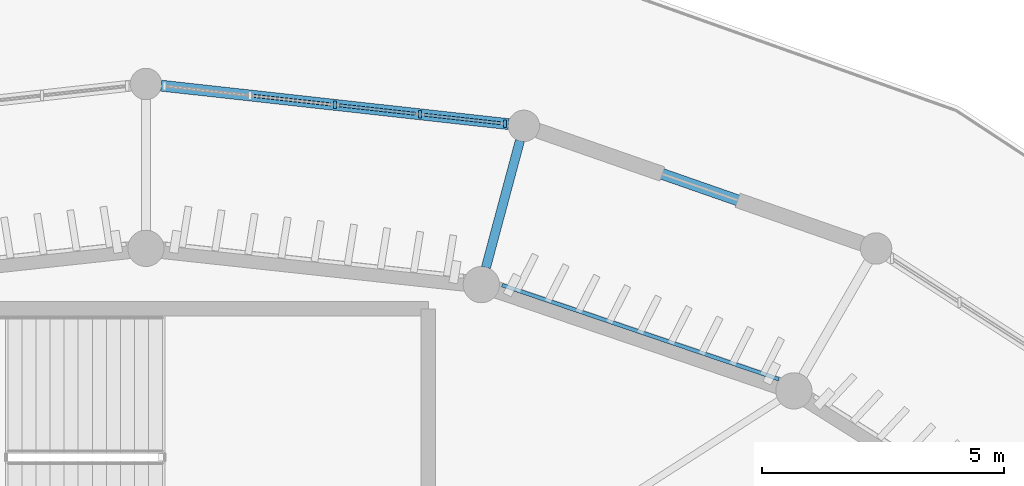
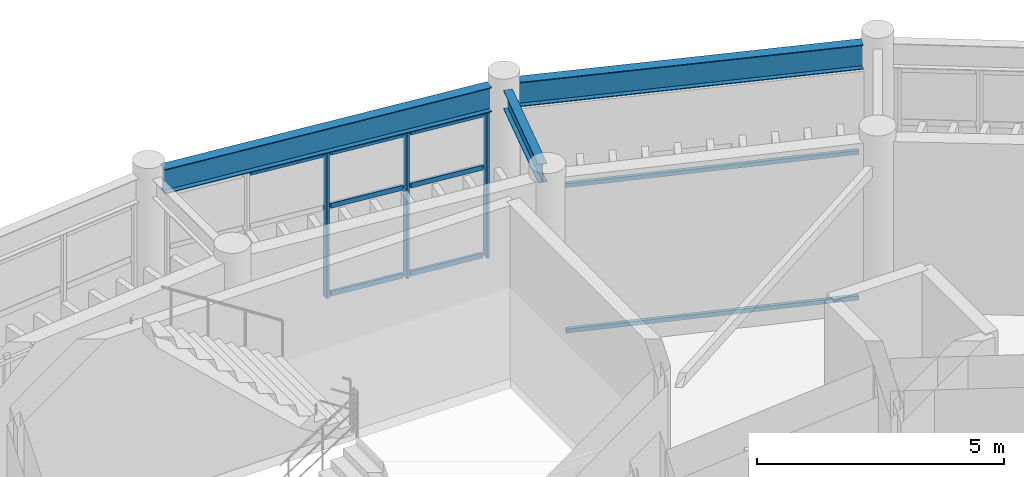
# One storey, part 14 of 45: 12 members, 3 beams, 1 element without a shape of its own.
"""IFC4 building model written with IfcOpenShell, lengths in metres."""

from ifc_helpers import new_model, si_unit, direction, frame, origin, origin_2d, place, context, subcontext, project, spatial, rectangle, i_section, extrude, material, material_profile, profile_set, type_object, element, aggregate, save


model = new_model("IFC4")

# Units and contexts
model_context = context("Model", 3, precision=1e-05, world=origin(), true_north=direction((0.0, 1.0)))
body_context = subcontext(model_context, "Body", "Model", "MODEL_VIEW")
ifc_project = project(units=[si_unit("LENGTHUNIT", "METRE"), si_unit("AREAUNIT", "SQUARE_METRE"), si_unit("VOLUMEUNIT", "CUBIC_METRE"), si_unit("PLANEANGLEUNIT", "RADIAN"), si_unit("MASSUNIT", "GRAM", prefix="KILO")], contexts=[model_context])

# Site, building, storey
site_placement = place(None, origin())
site = spatial("IfcSite", under=ifc_project, at=site_placement, CompositionType="ELEMENT")
building_placement = place(site_placement, origin())
building = spatial("IfcBuilding", under=site, at=building_placement, Name="Cinderbank Siding Concert Hall", CompositionType="ELEMENT")
storey_placement = place(building_placement, frame((0.0, 0.0, 19.199951171875)))
storey = spatial("IfcBuildingStorey", under=building, at=storey_placement, Name="L05", CompositionType="ELEMENT", Elevation=19.199951171875)

# Beams
ifc_material_1 = material(Name="Structural steel AS/NZS 3679.1 Grade 350 (340 MPa)", Category="steel")
ifc_material_profile_1 = material_profile(ifc_material_1, i_section(OverallWidth=0.19091796875, OverallDepth=0.46044921875, WebThickness=0.010009765625, FlangeThickness=0.01611328125, at=origin_2d()), Name="460UB82.1", Category="LoadBearing")
ifc_profile_set_1 = profile_set([ifc_material_profile_1], Name="Structural steel AS/NZS 3679.1 Grade 350 (340 MPa)")
beam_type_1 = type_object("IfcBeamType", Name="BM-UB460H 460UB82.1", PredefinedType="BEAM", material=ifc_profile_set_1)
beam_1_placement = place(storey_placement, frame((129.031494140625, 65.60498046875, 4.001953125), z_axis=(0.258809477387, 0.9659283899, 0.0), x_axis=(-0.9659283899, 0.258809477387, 0.0)))
element("IfcBeam", 1, at=beam_1_placement, inside=storey, type_object=beam_type_1, Name="L05 Beam BM-UB460H #800", PredefinedType="BEAM", context=body_context, shape_type="SweptSolid", body=[
    extrude(i_section(OverallWidth=0.19091796875, OverallDepth=0.46044921875, WebThickness=0.010009765625, FlangeThickness=0.01611328125, at=origin_2d()), origin(), (0.0, 0.0, 1.0), 2.7158203125),
])
ifc_material_profile_2 = material_profile(ifc_material_1, i_section(OverallWidth=0.22802734375, OverallDepth=0.60693359375, WebThickness=0.01123046875, FlangeThickness=0.017333984375, at=origin_2d()), Name="610UB113", Category="LoadBearing")
ifc_profile_set_2 = profile_set([ifc_material_profile_2], Name="Structural steel AS/NZS 3679.1 Grade 350 (340 MPa)")
beam_type_2 = type_object("IfcBeamType", Name="BM-UB610M 610UB113", PredefinedType="BEAM", material=ifc_profile_set_2)
beam_2_placement = place(storey_placement, frame((136.800537109375, 66.101318359375, 3.928466796875), z_axis=(-0.944334299593, 0.328987432301, 0.0), x_axis=(-0.328987432301, -0.944334299593, 0.0)))
element("IfcBeam", 2, at=beam_2_placement, inside=storey, type_object=beam_type_2, Name="L05 Beam BM-UB610M #763", PredefinedType="BEAM", context=body_context, shape_type="SweptSolid", body=[
    extrude(i_section(OverallWidth=0.22802734375, OverallDepth=0.60693359375, WebThickness=0.01123046875, FlangeThickness=0.017333984375, at=origin_2d()), origin(), (0.0, 0.0, 1.0), 7.078857421875),
])
beam_3_placement = place(storey_placement, frame((129.501220703125, 68.5693359375, 3.928466796875), z_axis=(-0.993926077211, 0.110049775281, 0.0), x_axis=(-0.110049775281, -0.993926077211, 0.0)))
element("IfcBeam", 3, at=beam_3_placement, inside=storey, type_object=beam_type_2, Name="L05 Beam BM-UB610M #764", PredefinedType="BEAM", context=body_context, shape_type="SweptSolid", body=[
    extrude(i_section(OverallWidth=0.22802734375, OverallDepth=0.60693359375, WebThickness=0.01123046875, FlangeThickness=0.017333984375, at=origin_2d()), origin(), (0.0, 0.0, 1.0), 7.22998046875),
])

# Curtain wall, members
ifc_material_2 = material(Name="Anodised aluminium alloy 6063-T6", Category="aluminium")
curtain_wall_type = type_object("IfcCurtainWallType", Name="CW-10 Unitised Acoustic Curtain Wall 7200x3500", PredefinedType="NOTDEFINED", material=ifc_material_2)
curtain_wall_placement = place(storey_placement, origin())
curtain_wall = element("IfcCurtainWall", 4, at=curtain_wall_placement, inside=storey, type_object=curtain_wall_type, Name="L05 Curtain Wall CW-10 #76", PredefinedType="NOTDEFINED")
ifc_material_profile_3 = material_profile(ifc_material_2, rectangle(XDim=0.06005859375, YDim=0.159912109375, at=origin_2d()), Name="ALU-MULL-60x160", Category="LoadBearing")
ifc_profile_set_3 = profile_set([ifc_material_profile_3], Name="Anodised aluminium alloy 6063-T6")
member_type_1 = type_object("IfcMemberType", Name="CW-ML1 Mullion 60x160", PredefinedType="MULLION", material=ifc_profile_set_3)
member_1_placement = place(storey_placement, frame((129.4287109375, 68.577392578125, 0.0), z_axis=(0.0, 0.0, 1.0), x_axis=(1.0, 0.0, 0.0)))
member_1 = element("IfcMember", 5, at=member_1_placement, type_object=member_type_1, Name="CW-L05-076 Mullion 0", PredefinedType="MULLION", context=body_context, shape_type="SweptSolid", body=[
    extrude(rectangle(XDim=0.06005859375, YDim=0.159912109375, at=origin_2d()), origin(), (0.0, 0.0, 1.0), 3.610107421875),
])
member_2_placement = place(storey_placement, frame((127.66845703125, 68.772216796875, 0.0), z_axis=(0.0, 0.0, 1.0), x_axis=(1.0, 0.0, 0.0)))
member_2 = element("IfcMember", 6, at=member_2_placement, type_object=member_type_1, Name="CW-L05-076 Mullion 1", PredefinedType="MULLION", context=body_context, shape_type="SweptSolid", body=[
    extrude(rectangle(XDim=0.06005859375, YDim=0.159912109375, at=origin_2d()), origin(), (0.0, 0.0, 1.0), 3.610107421875),
])
member_3_placement = place(storey_placement, frame((125.908203125, 68.96728515625, 0.0), z_axis=(0.0, 0.0, 1.0), x_axis=(1.0, 0.0, 0.0)))
member_3 = element("IfcMember", 7, at=member_3_placement, type_object=member_type_1, Name="CW-L05-076 Mullion 2", PredefinedType="MULLION", context=body_context, shape_type="SweptSolid", body=[
    extrude(rectangle(XDim=0.06005859375, YDim=0.159912109375, at=origin_2d()), origin(), (0.0, 0.0, 1.0), 3.610107421875),
])
ifc_material_profile_4 = material_profile(ifc_material_2, rectangle(XDim=0.06005859375, YDim=0.1201171875, at=origin_2d()), Name="ALU-TRAN-60x120", Category="LoadBearing")
ifc_profile_set_4 = profile_set([ifc_material_profile_4], Name="Anodised aluminium alloy 6063-T6")
member_type_2 = type_object("IfcMemberType", Name="CW-TR1 Transom 60x120", PredefinedType="USERDEFINED", material=ifc_profile_set_4)
member_4_placement = place(storey_placement, frame((129.3408203125, 68.587158203125, 0.06005859375), z_axis=(-0.993919168469, 0.110112154411, 0.0), x_axis=(-0.110112154411, -0.993919168469, 0.0)))
member_4 = element("IfcMember", 8, at=member_4_placement, type_object=member_type_2, Name="CW-L05-076 Transom 0-0", ObjectType="TRANSOM", PredefinedType="USERDEFINED", context=body_context, shape_type="SweptSolid", body=[
    extrude(rectangle(XDim=0.06005859375, YDim=0.1201171875, at=origin_2d()), origin(), (0.0, 0.0, 1.0), 1.59423828125),
])
member_5_placement = place(storey_placement, frame((129.3408203125, 68.587158203125, 2.23828125), z_axis=(-0.993919168469, 0.110112154411, 0.0), x_axis=(-0.110112154411, -0.993919168469, 0.0)))
member_5 = element("IfcMember", 9, at=member_5_placement, type_object=member_type_2, Name="CW-L05-076 Transom 0-1", ObjectType="TRANSOM", PredefinedType="USERDEFINED", context=body_context, shape_type="SweptSolid", body=[
    extrude(rectangle(XDim=0.06005859375, YDim=0.1201171875, at=origin_2d()), origin(), (0.0, 0.0, 1.0), 1.59423828125),
])
member_6_placement = place(storey_placement, frame((129.3408203125, 68.587158203125, 3.550048828125), z_axis=(-0.993919168469, 0.110112154411, 0.0), x_axis=(-0.110112154411, -0.993919168469, 0.0)))
member_6 = element("IfcMember", 10, at=member_6_placement, type_object=member_type_2, Name="CW-L05-076 Transom 0-2", ObjectType="TRANSOM", PredefinedType="USERDEFINED", context=body_context, shape_type="SweptSolid", body=[
    extrude(rectangle(XDim=0.06005859375, YDim=0.1201171875, at=origin_2d()), origin(), (0.0, 0.0, 1.0), 1.59423828125),
])
member_7_placement = place(storey_placement, frame((127.580322265625, 68.781982421875, 0.06005859375), z_axis=(-0.993917311195, 0.110128917668, 0.0), x_axis=(-0.110128917668, -0.993917311195, 0.0)))
member_7 = element("IfcMember", 11, at=member_7_placement, type_object=member_type_2, Name="CW-L05-076 Transom 1-0", ObjectType="TRANSOM", PredefinedType="USERDEFINED", context=body_context, shape_type="SweptSolid", body=[
    extrude(rectangle(XDim=0.06005859375, YDim=0.1201171875, at=origin_2d()), origin(), (0.0, 0.0, 1.0), 1.593994140625),
])
member_8_placement = place(storey_placement, frame((127.580322265625, 68.781982421875, 2.23828125), z_axis=(-0.993917311195, 0.110128917668, 0.0), x_axis=(-0.110128917668, -0.993917311195, 0.0)))
member_8 = element("IfcMember", 12, at=member_8_placement, type_object=member_type_2, Name="CW-L05-076 Transom 1-1", ObjectType="TRANSOM", PredefinedType="USERDEFINED", context=body_context, shape_type="SweptSolid", body=[
    extrude(rectangle(XDim=0.06005859375, YDim=0.1201171875, at=origin_2d()), origin(), (0.0, 0.0, 1.0), 1.593994140625),
])
member_9_placement = place(storey_placement, frame((127.580322265625, 68.781982421875, 3.550048828125), z_axis=(-0.993917311195, 0.110128917668, 0.0), x_axis=(-0.110128917668, -0.993917311195, 0.0)))
member_9 = element("IfcMember", 13, at=member_9_placement, type_object=member_type_2, Name="CW-L05-076 Transom 1-2", ObjectType="TRANSOM", PredefinedType="USERDEFINED", context=body_context, shape_type="SweptSolid", body=[
    extrude(rectangle(XDim=0.06005859375, YDim=0.1201171875, at=origin_2d()), origin(), (0.0, 0.0, 1.0), 1.593994140625),
])
member_10_placement = place(storey_placement, frame((125.820068359375, 68.97705078125, 3.550048828125), z_axis=(-0.993934065753, 0.109977601974, 0.0), x_axis=(-0.109977601974, -0.993934065753, 0.0)))
member_10 = element("IfcMember", 14, at=member_10_placement, type_object=member_type_2, Name="CW-L05-076 Transom 2-2", ObjectType="TRANSOM", PredefinedType="USERDEFINED", context=body_context, shape_type="SweptSolid", body=[
    extrude(rectangle(XDim=0.06005859375, YDim=0.1201171875, at=origin_2d()), origin(), (0.0, 0.0, 1.0), 1.593994140625),
])
aggregate(curtain_wall, [member_1, member_2, member_3, member_4, member_5, member_6, member_7, member_8, member_9, member_10])

# Members
ifc_material_profile_5 = material_profile(ifc_material_2, rectangle(XDim=0.080078125, YDim=0.10009765625, at=origin_2d()), Name="ALU-RAIL-80x100", Category="LoadBearing")
ifc_profile_set_5 = profile_set([ifc_material_profile_5], Name="Anodised aluminium alloy 6063-T6")
member_type_3 = type_object("IfcMemberType", Name="LV-RL1 Carrier Rail 80x100", PredefinedType="STUD", material=ifc_profile_set_5)
for number, where, z_axis, x_axis, name in (
    (15, (135.08935546875, 63.294189453125, 0.219970703125), (-0.946760439523, 0.321938923017, 0.0), (-0.321938923017, -0.946760439523, 0.0), "L05 Louvre Carrier Rail 05 BOT"),
    (16, (135.08935546875, 63.294189453125, 3.820068359375), (-0.946760439523, 0.321938923017, 0.0), (-0.321938923017, -0.946760439523, 0.0), "L05 Louvre Carrier Rail 05 TOP"),
):
    element("IfcMember", number, at=place(storey_placement, frame(where, z_axis=z_axis, x_axis=x_axis)), inside=storey, type_object=member_type_3, Name=name, PredefinedType="STUD", context=body_context, shape_type="SweptSolid", body=[
        extrude(rectangle(XDim=0.080078125, YDim=0.10009765625, at=origin_2d()), origin(), (0.0, 0.0, 1.0), 6.047119140625),
    ])

save(model, "model.ifc")
